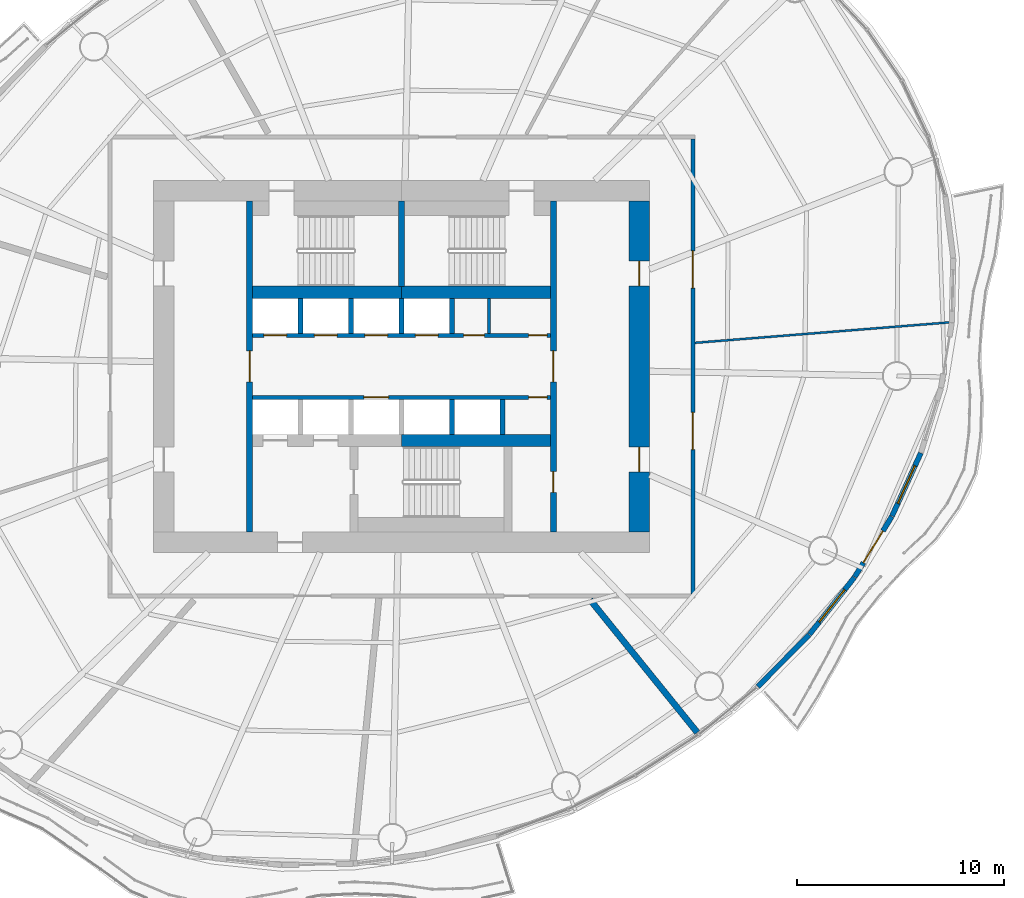
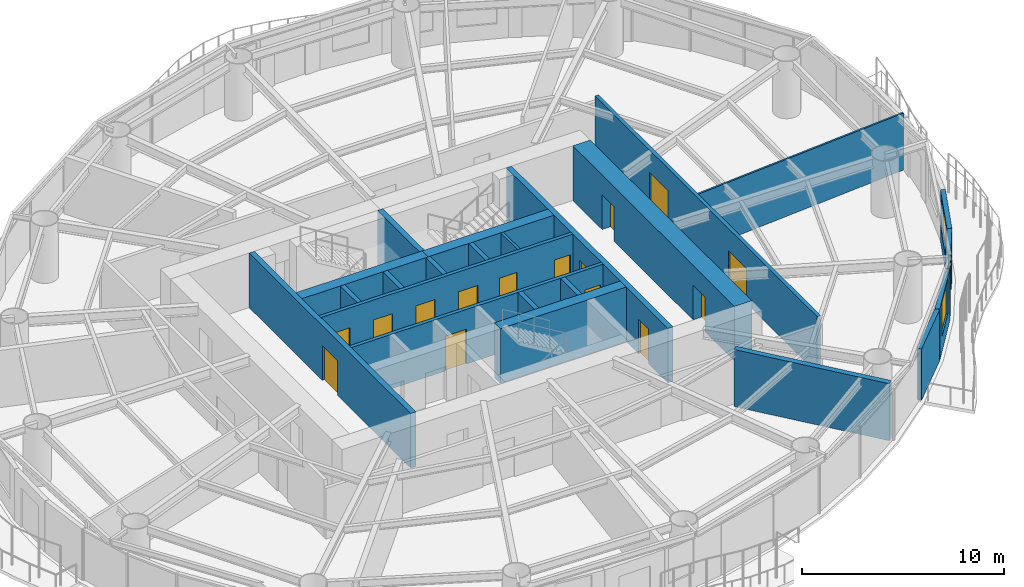
# One storey, part 9 of 15: 23 walls, 16 doors, 2 windows, 18 openings.
"""IFC4 building model written with IfcOpenShell, lengths in metres."""

from ifc_helpers import new_model, si_unit, direction, frame, frame_2d, origin, place, context, subcontext, project, spatial, rectangle, extrude, material, layer, layer_set, type_object, element, fill, save


model = new_model("IFC4")

# Units and contexts
model_context = context("Model", 3, precision=1e-05, world=origin(), true_north=direction((0.0, 1.0)))
body_context = subcontext(model_context, "Body", "Model", "MODEL_VIEW")
ifc_project = project(units=[si_unit("LENGTHUNIT", "METRE"), si_unit("AREAUNIT", "SQUARE_METRE"), si_unit("VOLUMEUNIT", "CUBIC_METRE"), si_unit("PLANEANGLEUNIT", "RADIAN"), si_unit("MASSUNIT", "GRAM", prefix="KILO")], contexts=[model_context])

# Site, building, storey
site_placement = place(None, origin())
site = spatial("IfcSite", under=ifc_project, at=site_placement, CompositionType="ELEMENT")
building_placement = place(site_placement, origin())
building = spatial("IfcBuilding", under=site, at=building_placement, Name="Vermilion Reach Broadcast Tower", CompositionType="ELEMENT")
storey_placement = place(building_placement, frame((0.0, 0.0, 154.199951171875)))
storey = spatial("IfcBuildingStorey", under=building, at=storey_placement, Name="L36", CompositionType="ELEMENT", Elevation=154.199951171875)

# Wall, opening, door
ifc_material_1 = material(Name="Concrete C70", Category="concrete")
ifc_layer_1 = layer(ifc_material_1, 0.300048828125)
ifc_layer_set_1 = layer_set([ifc_layer_1], Name="Core inner wall 300 mm Concrete C70")
wall_type_1 = type_object("IfcWallType", Name="Core inner wall 300 mm Concrete C70", PredefinedType="SHEAR", material=ifc_layer_set_1)
wall_1_placement = place(storey_placement, frame((-13.35009765625, 8.0, 0.0), z_axis=(0.0, 0.0, 1.0), x_axis=(0.0, -1.0, 0.0)))
wall_1 = element("IfcWall", 1, at=wall_1_placement, inside=storey, type_object=wall_type_1, Name="L36 core wall ewW", PredefinedType="SHEAR", context=body_context, shape_type="SweptSolid", body=[
    extrude(rectangle(XDim=16.0, YDim=0.300048828125, at=frame_2d((8.0, 0.0))), origin(), (0.0, 0.0, 1.0), 3.300048828125),
])
opening_1_placement = place(wall_1_placement, frame((7.25, 0.0, 0.0)))
opening_1 = element("IfcOpeningElement", 2, at=opening_1_placement, cuts=wall_1, Name="Opening D04", PredefinedType="OPENING", context=body_context, shape_type="SweptSolid", body=[
    extrude(rectangle(XDim=1.5, YDim=2.10009765625, at=frame_2d((0.75, 1.050048828125))), frame((0.0, 0.159912109375, 0.0), z_axis=(0.0, -1.0, 0.0), x_axis=(1.0, 0.0, 0.0)), (0.0, 0.0, 1.0), 0.320068359375),
])
ifc_material_2 = material(Name="Painted steel fire door", Category="steel")
door_type_1 = type_object("IfcDoorType", Name="Lift lobby door 1500 x 2100", OperationType="DOUBLE_DOOR_SINGLE_SWING", PredefinedType="NOTDEFINED", material=ifc_material_2)
door_1_placement = place(opening_1_placement, origin())
door_1 = element("IfcDoor", 3, at=door_1_placement, inside=storey, type_object=door_type_1, Name="L36 band door BW", OperationType="DOUBLE_DOOR_SINGLE_SWING", OverallHeight=2.10009765625, OverallWidth=1.5, PredefinedType="NOTDEFINED", context=body_context, shape_type="SweptSolid", body=[
    extrude(rectangle(XDim=1.5, YDim=2.10009765625, at=frame_2d((0.75, 1.050048828125))), frame((0.0, 0.02490234375, 0.0), z_axis=(0.0, -1.0, 0.0), x_axis=(1.0, 0.0, 0.0)), (0.0, 0.0, 1.0), 0.050048828125),
])
fill(opening_1, door_1)

# Wall, openings, doors
wall_2_placement = place(storey_placement, frame((1.35009765625, -8.0, 0.0), z_axis=(0.0, 0.0, 1.0), x_axis=(0.0, 1.0, 0.0)))
wall_2 = element("IfcWall", 4, at=wall_2_placement, inside=storey, type_object=wall_type_1, Name="L36 core wall ewE", PredefinedType="SHEAR", context=body_context, shape_type="SweptSolid", body=[
    extrude(rectangle(XDim=16.0, YDim=0.300048828125, at=frame_2d((8.0, 0.0))), origin(), (0.0, 0.0, 1.0), 3.300048828125),
])
opening_2_placement = place(wall_2_placement, frame((1.909912109375, 0.0, 0.0)))
opening_2 = element("IfcOpeningElement", 5, at=opening_2_placement, cuts=wall_2, Name="Opening D05", PredefinedType="OPENING", context=body_context, shape_type="SweptSolid", body=[
    extrude(rectangle(XDim=1.0, YDim=2.10009765625, at=frame_2d((0.5, 1.050048828125))), frame((0.0, 0.159912109375, 0.0), z_axis=(0.0, -1.0, 0.0), x_axis=(1.0, 0.0, 0.0)), (0.0, 0.0, 1.0), 0.320068359375),
])
opening_3_placement = place(wall_2_placement, frame((7.25, 0.0, 0.0)))
opening_3 = element("IfcOpeningElement", 6, at=opening_3_placement, cuts=wall_2, Name="Opening D04", PredefinedType="OPENING", context=body_context, shape_type="SweptSolid", body=[
    extrude(rectangle(XDim=1.5, YDim=2.10009765625, at=frame_2d((0.75, 1.050048828125))), frame((0.0, 0.159912109375, 0.0), z_axis=(0.0, -1.0, 0.0), x_axis=(1.0, 0.0, 0.0)), (0.0, 0.0, 1.0), 0.320068359375),
])
door_2_placement = place(opening_3_placement, origin())
door_2 = element("IfcDoor", 7, at=door_2_placement, inside=storey, type_object=door_type_1, Name="L36 band door BE", OperationType="DOUBLE_DOOR_SINGLE_SWING", OverallHeight=2.10009765625, OverallWidth=1.5, PredefinedType="NOTDEFINED", context=body_context, shape_type="SweptSolid", body=[
    extrude(rectangle(XDim=1.5, YDim=2.10009765625, at=frame_2d((0.75, 1.050048828125))), frame((0.0, 0.02490234375, 0.0), z_axis=(0.0, -1.0, 0.0), x_axis=(1.0, 0.0, 0.0)), (0.0, 0.0, 1.0), 0.050048828125),
])
fill(opening_3, door_2)
ifc_material_3 = material(Name="Timber door", Category="wood")
door_type_2 = type_object("IfcDoorType", Name="Room door 1000 x 2100", OperationType="NOTDEFINED", PredefinedType="NOTDEFINED", material=ifc_material_3)
door_3_placement = place(opening_2_placement, origin())
door_3 = element("IfcDoor", 8, at=door_3_placement, inside=storey, type_object=door_type_2, Name="L36 door SER", OperationType="SINGLE_SWING_LEFT", OverallHeight=2.10009765625, OverallWidth=1.0, PredefinedType="NOTDEFINED", context=body_context, shape_type="SweptSolid", body=[
    extrude(rectangle(XDim=1.0, YDim=2.10009765625, at=frame_2d((0.5, 1.050048828125))), frame((0.0, 0.02490234375, 0.0), z_axis=(0.0, -1.0, 0.0), x_axis=(1.0, 0.0, 0.0)), (0.0, 0.0, 1.0), 0.050048828125),
])
fill(opening_2, door_3)

# Walls
wall_3_placement = place(storey_placement, frame((-6.0, 3.8798828125, 0.0), z_axis=(0.0, 0.0, 1.0), x_axis=(0.0, 1.0, 0.0)))
element("IfcWall", 9, at=wall_3_placement, inside=storey, type_object=wall_type_1, Name="L36 core wall wc", PredefinedType="SHEAR", context=body_context, shape_type="SweptSolid", body=[
    extrude(rectangle(XDim=4.1201171875, YDim=0.300048828125, at=frame_2d((2.06005859375, 0.0))), origin(), (0.0, 0.0, 1.0), 3.300048828125),
])
ifc_material_4 = material(Name="Concrete C70", Category="concrete")
ifc_layer_2 = layer(ifc_material_4, 0.60009765625)
ifc_layer_set_2 = layer_set([ifc_layer_2], Name="Core inner wall 600 mm Concrete C70")
wall_type_2 = type_object("IfcWallType", Name="Core inner wall 600 mm Concrete C70", PredefinedType="SHEAR", material=ifc_layer_set_2)
for number, where, z_axis, x_axis, name in (
    (10, (-13.199951171875, 3.580078125, 0.0), (0.0, 0.0, 1.0), (1.0, 0.0, 0.0), "L36 core wall winW"),
    (11, (-6.0, 3.580078125, 0.0), (0.0, 0.0, 1.0), (1.0, 0.0, 0.0), "L36 core wall winE"),
    (12, (-6.0, -3.580078125, 0.0), (0.0, 0.0, 1.0), (1.0, 0.0, 0.0), "L36 core wall wisE"),
):
    element("IfcWall", number, at=place(storey_placement, frame(where, z_axis=z_axis, x_axis=x_axis)), inside=storey, type_object=wall_type_2, Name=name, PredefinedType="SHEAR", context=body_context, shape_type="SweptSolid", body=[
        extrude(rectangle(XDim=7.199951171875, YDim=0.60009765625, at=frame_2d((3.60009765625, 0.0))), origin(), (0.0, 0.0, 1.0), 3.300048828125),
    ])

# Wall, openings, doors
ifc_material_5 = material(Name="Concrete C70", Category="concrete")
ifc_layer_3 = layer(ifc_material_5, 1.0)
ifc_layer_set_3 = layer_set([ifc_layer_3], Name="Core outer wall 1000 mm Concrete C70")
wall_type_3 = type_object("IfcWallType", Name="Core outer wall 1000 mm Concrete C70", PredefinedType="SHEAR", material=ifc_layer_set_3)
wall_4_placement = place(storey_placement, frame((5.5, -8.0, 0.0), z_axis=(0.0, 0.0, 1.0), x_axis=(0.0, 1.0, 0.0)))
wall_4 = element("IfcWall", 13, at=wall_4_placement, inside=storey, type_object=wall_type_3, Name="L36 core wall oe", PredefinedType="SHEAR", context=body_context, shape_type="SweptSolid", body=[
    extrude(rectangle(XDim=16.0, YDim=1.0, at=frame_2d((8.0, 0.0))), origin(), (0.0, 0.0, 1.0), 3.300048828125),
])
opening_4_placement = place(wall_4_placement, frame((2.89990234375, 0.0, 0.0)))
opening_4 = element("IfcOpeningElement", 14, at=opening_4_placement, cuts=wall_4, Name="Opening D03", PredefinedType="OPENING", context=body_context, shape_type="SweptSolid", body=[
    extrude(rectangle(XDim=1.199951171875, YDim=2.10009765625, at=frame_2d((0.60009765625, 1.050048828125))), frame((0.0, 0.510009765625, 0.0), z_axis=(0.0, -1.0, 0.0), x_axis=(1.0, 0.0, 0.0)), (0.0, 0.0, 1.0), 1.02001953125),
])
opening_5_placement = place(wall_4_placement, frame((11.89990234375, 0.0, 0.0)))
opening_5 = element("IfcOpeningElement", 15, at=opening_5_placement, cuts=wall_4, Name="Opening D03", PredefinedType="OPENING", context=body_context, shape_type="SweptSolid", body=[
    extrude(rectangle(XDim=1.199951171875, YDim=2.10009765625, at=frame_2d((0.60009765625, 1.050048828125))), frame((0.0, 0.510009765625, 0.0), z_axis=(0.0, -1.0, 0.0), x_axis=(1.0, 0.0, 0.0)), (0.0, 0.0, 1.0), 1.02001953125),
])
ifc_material_6 = material(Name="Painted steel fire door", Category="steel")
door_type_3 = type_object("IfcDoorType", Name="Core lobby door 1200 x 2100", OperationType="DOUBLE_DOOR_SINGLE_SWING", PredefinedType="NOTDEFINED", material=ifc_material_6)
door_4_placement = place(opening_4_placement, origin())
door_4 = element("IfcDoor", 16, at=door_4_placement, inside=storey, type_object=door_type_3, Name="L36 slot door E0", OperationType="DOUBLE_DOOR_SINGLE_SWING", OverallHeight=2.10009765625, OverallWidth=1.199951171875, PredefinedType="NOTDEFINED", context=body_context, shape_type="SweptSolid", body=[
    extrude(rectangle(XDim=1.199951171875, YDim=2.10009765625, at=frame_2d((0.60009765625, 1.050048828125))), frame((0.0, 0.02490234375, 0.0), z_axis=(0.0, -1.0, 0.0), x_axis=(1.0, 0.0, 0.0)), (0.0, 0.0, 1.0), 0.050048828125),
])
fill(opening_4, door_4)
door_5_placement = place(opening_5_placement, origin())
door_5 = element("IfcDoor", 17, at=door_5_placement, inside=storey, type_object=door_type_3, Name="L36 slot door E1", OperationType="DOUBLE_DOOR_SINGLE_SWING", OverallHeight=2.10009765625, OverallWidth=1.199951171875, PredefinedType="NOTDEFINED", context=body_context, shape_type="SweptSolid", body=[
    extrude(rectangle(XDim=1.199951171875, YDim=2.10009765625, at=frame_2d((0.60009765625, 1.050048828125))), frame((0.0, 0.02490234375, 0.0), z_axis=(0.0, -1.0, 0.0), x_axis=(1.0, 0.0, 0.0)), (0.0, 0.0, 1.0), 0.050048828125),
])
fill(opening_5, door_5)

# Wall
ifc_material_7 = material(Name="Masonry block", Category="masonry")
ifc_layer_4 = layer(ifc_material_7, 0.14990234375)
ifc_layer_set_4 = layer_set([ifc_layer_4], Name="Core partition wall 150 mm Masonry block")
wall_type_4 = type_object("IfcWallType", Name="Core partition wall 150 mm Masonry block", PredefinedType="PARTITIONING", material=ifc_layer_set_4)
wall_5_placement = place(storey_placement, frame((-1.765380859375, 1.60009765625, 0.0), z_axis=(0.0, 0.0, 1.0), x_axis=(0.0, 1.0, 0.0)))
element("IfcWall", 18, at=wall_5_placement, inside=storey, type_object=wall_type_4, Name="L36 core wall prN4235", PredefinedType="PARTITIONING", context=body_context, shape_type="SweptSolid", body=[
    extrude(rectangle(XDim=1.679931640625, YDim=0.14990234375, at=frame_2d((0.83984375, 0.0))), origin(), (0.0, 0.0, 1.0), 3.300048828125),
])

# Wall, openings, doors
ifc_material_8 = material(Name="Concrete C50", Category="concrete")
ifc_layer_5 = layer(ifc_material_8, 0.199951171875)
ifc_layer_set_5 = layer_set([ifc_layer_5], Name="Core shaft wall 200 mm Concrete C50")
wall_type_5 = type_object("IfcWallType", Name="Core shaft wall 200 mm Concrete C50", PredefinedType="SHEAR", material=ifc_layer_set_5)
wall_6_placement = place(storey_placement, frame((-13.199951171875, 1.5, 0.0), z_axis=(0.0, 0.0, 1.0), x_axis=(1.0, 0.0, 0.0)))
wall_6 = element("IfcWall", 19, at=wall_6_placement, inside=storey, type_object=wall_type_5, Name="L36 core wall fn", PredefinedType="SHEAR", context=body_context, shape_type="SweptSolid", body=[
    extrude(rectangle(XDim=14.39990234375, YDim=0.199951171875, at=frame_2d((7.199951171875, 0.0))), origin(), (0.0, 0.0, 1.0), 3.300048828125),
])
opening_6_placement = place(wall_6_placement, frame((0.5458984375, 0.0, 0.0)))
opening_6 = element("IfcOpeningElement", 20, at=opening_6_placement, cuts=wall_6, Name="Opening LD2", PredefinedType="OPENING", context=body_context, shape_type="SweptSolid", body=[
    extrude(rectangle(XDim=1.10009765625, YDim=2.10009765625, at=frame_2d((0.550048828125, 1.050048828125))), frame((0.0, 0.10986328125, 0.0), z_axis=(0.0, -1.0, 0.0), x_axis=(1.0, 0.0, 0.0)), (0.0, 0.0, 1.0), 0.219970703125),
])
opening_7_placement = place(wall_6_placement, frame((2.987548828125, 0.0, 0.0)))
opening_7 = element("IfcOpeningElement", 21, at=opening_7_placement, cuts=wall_6, Name="Opening LD2", PredefinedType="OPENING", context=body_context, shape_type="SweptSolid", body=[
    extrude(rectangle(XDim=1.10009765625, YDim=2.10009765625, at=frame_2d((0.550048828125, 1.050048828125))), frame((0.0, 0.10986328125, 0.0), z_axis=(0.0, -1.0, 0.0), x_axis=(1.0, 0.0, 0.0)), (0.0, 0.0, 1.0), 0.219970703125),
])
opening_8_placement = place(wall_6_placement, frame((5.42919921875, 0.0, 0.0)))
opening_8 = element("IfcOpeningElement", 22, at=opening_8_placement, cuts=wall_6, Name="Opening LD2", PredefinedType="OPENING", context=body_context, shape_type="SweptSolid", body=[
    extrude(rectangle(XDim=1.10009765625, YDim=2.10009765625, at=frame_2d((0.550048828125, 1.050048828125))), frame((0.0, 0.10986328125, 0.0), z_axis=(0.0, -1.0, 0.0), x_axis=(1.0, 0.0, 0.0)), (0.0, 0.0, 1.0), 0.219970703125),
])
opening_9_placement = place(wall_6_placement, frame((7.870849609375, 0.0, 0.0)))
opening_9 = element("IfcOpeningElement", 23, at=opening_9_placement, cuts=wall_6, Name="Opening LD2", PredefinedType="OPENING", context=body_context, shape_type="SweptSolid", body=[
    extrude(rectangle(XDim=1.10009765625, YDim=2.10009765625, at=frame_2d((0.550048828125, 1.050048828125))), frame((0.0, 0.10986328125, 0.0), z_axis=(0.0, -1.0, 0.0), x_axis=(1.0, 0.0, 0.0)), (0.0, 0.0, 1.0), 0.219970703125),
])
opening_10_placement = place(wall_6_placement, frame((10.209716796875, 0.0, 0.0)))
opening_10 = element("IfcOpeningElement", 24, at=opening_10_placement, cuts=wall_6, Name="Opening D07", PredefinedType="OPENING", context=body_context, shape_type="SweptSolid", body=[
    extrude(rectangle(XDim=1.0, YDim=2.10009765625, at=frame_2d((0.5, 1.050048828125))), frame((0.0, 0.10986328125, 0.0), z_axis=(0.0, -1.0, 0.0), x_axis=(1.0, 0.0, 0.0)), (0.0, 0.0, 1.0), 0.219970703125),
])
opening_11_placement = place(wall_6_placement, frame((13.35009765625, 0.0, 0.0)))
opening_11 = element("IfcOpeningElement", 25, at=opening_11_placement, cuts=wall_6, Name="Opening D06", PredefinedType="OPENING", context=body_context, shape_type="SweptSolid", body=[
    extrude(rectangle(XDim=0.89990234375, YDim=2.10009765625, at=frame_2d((0.449951171875, 1.050048828125))), frame((0.0, 0.10986328125, 0.0), z_axis=(0.0, -1.0, 0.0), x_axis=(1.0, 0.0, 0.0)), (0.0, 0.0, 1.0), 0.219970703125),
])
ifc_material_9 = material(Name="Timber door", Category="wood")
door_type_4 = type_object("IfcDoorType", Name="Accessible WC door 1000 x 2100", OperationType="NOTDEFINED", PredefinedType="NOTDEFINED", material=ifc_material_9)
door_6_placement = place(opening_10_placement, origin())
door_6 = element("IfcDoor", 26, at=door_6_placement, inside=storey, type_object=door_type_4, Name="L36 door Accessible WC", OperationType="SINGLE_SWING_RIGHT", OverallHeight=2.10009765625, OverallWidth=1.0, PredefinedType="NOTDEFINED", context=body_context, shape_type="SweptSolid", body=[
    extrude(rectangle(XDim=1.0, YDim=2.10009765625, at=frame_2d((0.5, 1.050048828125))), frame((0.0, 0.02490234375, 0.0), z_axis=(0.0, -1.0, 0.0), x_axis=(1.0, 0.0, 0.0)), (0.0, 0.0, 1.0), 0.050048828125),
])
fill(opening_10, door_6)
ifc_material_10 = material(Name="Stainless steel", Category="steel")
door_type_5 = type_object("IfcDoorType", Name="Landing door 1100 x 2100", OperationType="DOUBLE_DOOR_SLIDING", PredefinedType="NOTDEFINED", material=ifc_material_10)
door_7_placement = place(opening_6_placement, origin())
door_7 = element("IfcDoor", 27, at=door_7_placement, inside=storey, type_object=door_type_5, Name="L36 landing door LR1", OperationType="DOUBLE_DOOR_SLIDING", OverallHeight=2.10009765625, OverallWidth=1.10009765625, PredefinedType="NOTDEFINED", context=body_context, shape_type="SweptSolid", body=[
    extrude(rectangle(XDim=1.10009765625, YDim=2.10009765625, at=frame_2d((0.550048828125, 1.050048828125))), frame((0.0, 0.02490234375, 0.0), z_axis=(0.0, -1.0, 0.0), x_axis=(1.0, 0.0, 0.0)), (0.0, 0.0, 1.0), 0.050048828125),
])
fill(opening_6, door_7)
door_8_placement = place(opening_7_placement, origin())
door_8 = element("IfcDoor", 28, at=door_8_placement, inside=storey, type_object=door_type_5, Name="L36 landing door LR2", OperationType="DOUBLE_DOOR_SLIDING", OverallHeight=2.10009765625, OverallWidth=1.10009765625, PredefinedType="NOTDEFINED", context=body_context, shape_type="SweptSolid", body=[
    extrude(rectangle(XDim=1.10009765625, YDim=2.10009765625, at=frame_2d((0.550048828125, 1.050048828125))), frame((0.0, 0.02490234375, 0.0), z_axis=(0.0, -1.0, 0.0), x_axis=(1.0, 0.0, 0.0)), (0.0, 0.0, 1.0), 0.050048828125),
])
fill(opening_7, door_8)
door_9_placement = place(opening_8_placement, origin())
door_9 = element("IfcDoor", 29, at=door_9_placement, inside=storey, type_object=door_type_5, Name="L36 landing door LR3", OperationType="DOUBLE_DOOR_SLIDING", OverallHeight=2.10009765625, OverallWidth=1.10009765625, PredefinedType="NOTDEFINED", context=body_context, shape_type="SweptSolid", body=[
    extrude(rectangle(XDim=1.10009765625, YDim=2.10009765625, at=frame_2d((0.550048828125, 1.050048828125))), frame((0.0, 0.02490234375, 0.0), z_axis=(0.0, -1.0, 0.0), x_axis=(1.0, 0.0, 0.0)), (0.0, 0.0, 1.0), 0.050048828125),
])
fill(opening_8, door_9)
door_10_placement = place(opening_9_placement, origin())
door_10 = element("IfcDoor", 30, at=door_10_placement, inside=storey, type_object=door_type_5, Name="L36 landing door LR4", OperationType="DOUBLE_DOOR_SLIDING", OverallHeight=2.10009765625, OverallWidth=1.10009765625, PredefinedType="NOTDEFINED", context=body_context, shape_type="SweptSolid", body=[
    extrude(rectangle(XDim=1.10009765625, YDim=2.10009765625, at=frame_2d((0.550048828125, 1.050048828125))), frame((0.0, 0.02490234375, 0.0), z_axis=(0.0, -1.0, 0.0), x_axis=(1.0, 0.0, 0.0)), (0.0, 0.0, 1.0), 0.050048828125),
])
fill(opening_9, door_10)
ifc_material_11 = material(Name="Timber door", Category="wood")
door_type_6 = type_object("IfcDoorType", Name="WC door 900 x 2100", OperationType="NOTDEFINED", PredefinedType="NOTDEFINED", material=ifc_material_11)
door_11_placement = place(opening_11_placement, origin())
door_11 = element("IfcDoor", 31, at=door_11_placement, inside=storey, type_object=door_type_6, Name="L36 door Female WC", OperationType="SINGLE_SWING_RIGHT", OverallHeight=2.10009765625, OverallWidth=0.89990234375, PredefinedType="NOTDEFINED", context=body_context, shape_type="SweptSolid", body=[
    extrude(rectangle(XDim=0.89990234375, YDim=2.10009765625, at=frame_2d((0.449951171875, 1.050048828125))), frame((0.0, 0.02490234375, 0.0), z_axis=(0.0, -1.0, 0.0), x_axis=(1.0, 0.0, 0.0)), (0.0, 0.0, 1.0), 0.050048828125),
])
fill(opening_11, door_11)

wall_7_placement = place(storey_placement, frame((1.199951171875, -1.5, 0.0), z_axis=(0.0, 0.0, 1.0), x_axis=(-1.0, 0.0, 0.0)))
wall_7 = element("IfcWall", 32, at=wall_7_placement, inside=storey, type_object=wall_type_5, Name="L36 core wall fs", PredefinedType="SHEAR", context=body_context, shape_type="SweptSolid", body=[
    extrude(rectangle(XDim=14.39990234375, YDim=0.199951171875, at=frame_2d((7.199951171875, 0.0))), origin(), (0.0, 0.0, 1.0), 3.300048828125),
])
opening_12_placement = place(wall_7_placement, frame((7.82080078125, 0.0, 0.0)))
opening_12 = element("IfcOpeningElement", 33, at=opening_12_placement, cuts=wall_7, Name="Opening LD1", PredefinedType="OPENING", context=body_context, shape_type="SweptSolid", body=[
    extrude(rectangle(XDim=1.199951171875, YDim=2.10009765625, at=frame_2d((0.60009765625, 1.050048828125))), frame((0.0, 0.10986328125, 0.0), z_axis=(0.0, -1.0, 0.0), x_axis=(1.0, 0.0, 0.0)), (0.0, 0.0, 1.0), 0.219970703125),
])
opening_13_placement = place(wall_7_placement, frame((0.14990234375, 0.0, 0.0)))
opening_13 = element("IfcOpeningElement", 34, at=opening_13_placement, cuts=wall_7, Name="Opening D06", PredefinedType="OPENING", context=body_context, shape_type="SweptSolid", body=[
    extrude(rectangle(XDim=0.89990234375, YDim=2.10009765625, at=frame_2d((0.449951171875, 1.050048828125))), frame((0.0, 0.10986328125, 0.0), z_axis=(0.0, -1.0, 0.0), x_axis=(1.0, 0.0, 0.0)), (0.0, 0.0, 1.0), 0.219970703125),
])
ifc_material_12 = material(Name="Stainless steel", Category="steel")
door_type_7 = type_object("IfcDoorType", Name="Landing door 1200 x 2100", OperationType="DOUBLE_DOOR_SLIDING", PredefinedType="NOTDEFINED", material=ifc_material_12)
door_12_placement = place(opening_12_placement, origin())
door_12 = element("IfcDoor", 35, at=door_12_placement, inside=storey, type_object=door_type_7, Name="L36 landing door SV1", OperationType="DOUBLE_DOOR_SLIDING", OverallHeight=2.10009765625, OverallWidth=1.199951171875, PredefinedType="NOTDEFINED", context=body_context, shape_type="SweptSolid", body=[
    extrude(rectangle(XDim=1.199951171875, YDim=2.10009765625, at=frame_2d((0.60009765625, 1.050048828125))), frame((0.0, 0.02490234375, 0.0), z_axis=(0.0, -1.0, 0.0), x_axis=(1.0, 0.0, 0.0)), (0.0, 0.0, 1.0), 0.050048828125),
])
fill(opening_12, door_12)
door_13_placement = place(opening_13_placement, origin())
door_13 = element("IfcDoor", 36, at=door_13_placement, inside=storey, type_object=door_type_6, Name="L36 door Male WC", OperationType="SINGLE_SWING_LEFT", OverallHeight=2.10009765625, OverallWidth=0.89990234375, PredefinedType="NOTDEFINED", context=body_context, shape_type="SweptSolid", body=[
    extrude(rectangle(XDim=0.89990234375, YDim=2.10009765625, at=frame_2d((0.449951171875, 1.050048828125))), frame((0.0, 0.02490234375, 0.0), z_axis=(0.0, -1.0, 0.0), x_axis=(1.0, 0.0, 0.0)), (0.0, 0.0, 1.0), 0.050048828125),
])
fill(opening_13, door_13)

# Walls
ifc_material_13 = material(Name="Concrete C50", Category="concrete")
ifc_layer_6 = layer(ifc_material_13, 0.25)
ifc_layer_set_6 = layer_set([ifc_layer_6], Name="Core shaft wall 250 mm Concrete C50")
wall_type_6 = type_object("IfcWallType", Name="Core shaft wall 250 mm Concrete C50", PredefinedType="SHEAR", material=ifc_layer_set_6)
for number, where, z_axis, x_axis, name in (
    (37, (-10.88330078125, 1.60009765625, 0.0), (0.0, 0.0, 1.0), (0.0, 1.0, 0.0), "L36 core wall psN0"),
    (38, (-8.441650390625, 1.60009765625, 0.0), (0.0, 0.0, 1.0), (0.0, 1.0, 0.0), "L36 core wall psN1"),
    (39, (-6.0, 1.60009765625, 0.0), (0.0, 0.0, 1.0), (0.0, 1.0, 0.0), "L36 core wall psN2"),
    (40, (-3.558349609375, 1.60009765625, 0.0), (0.0, 0.0, 1.0), (0.0, 1.0, 0.0), "L36 core wall psN3"),
    (41, (-3.558349609375, -1.60009765625, 0.0), (0.0, 0.0, 1.0), (0.0, -1.0, 0.0), "L36 core wall psS3"),
    (42, (-1.11669921875, -1.60009765625, 0.0), (0.0, 0.0, 1.0), (0.0, -1.0, 0.0), "L36 core wall psS4"),
):
    element("IfcWall", number, at=place(storey_placement, frame(where, z_axis=z_axis, x_axis=x_axis)), inside=storey, type_object=wall_type_6, Name=name, PredefinedType="SHEAR", context=body_context, shape_type="SweptSolid", body=[
        extrude(rectangle(XDim=1.679931640625, YDim=0.25, at=frame_2d((0.83984375, 0.0))), origin(), (0.0, 0.0, 1.0), 3.300048828125),
    ])

# Wall, openings, doors
ifc_material_14 = material(Name="Fire-rated gypsum board partition")
ifc_layer_7 = layer(ifc_material_14, 0.199951171875)
ifc_layer_set_7 = layer_set([ifc_layer_7], Name="Corridor wall 200 fire-rated")
wall_type_7 = type_object("IfcWallType", Name="Corridor wall 200 fire-rated", PredefinedType="PARTITIONING", material=ifc_layer_set_7)
wall_8_placement = place(storey_placement, frame((8.10009765625, 11.0, 0.0), z_axis=(0.0, 0.0, 1.0), x_axis=(0.0, -1.0, 0.0)))
wall_8 = element("IfcWall", 43, at=wall_8_placement, inside=storey, type_object=wall_type_7, Name="Corridor wall 36.E", PredefinedType="PARTITIONING", context=body_context, shape_type="SweptSolid", body=[
    extrude(rectangle(XDim=22.0, YDim=0.199951171875, at=frame_2d((11.0, 0.0))), origin(), (0.0, 0.0, 1.0), 3.449951171875),
])
opening_14_placement = place(wall_8_placement, frame((13.220703125, 0.0, 0.0)))
opening_14 = element("IfcOpeningElement", 44, at=opening_14_placement, cuts=wall_8, Name="Opening D21", PredefinedType="OPENING", context=body_context, shape_type="SweptSolid", body=[
    extrude(rectangle(XDim=1.800048828125, YDim=2.10009765625, at=frame_2d((0.89990234375, 1.050048828125))), frame((0.0, 0.10986328125, 0.0), z_axis=(0.0, -1.0, 0.0), x_axis=(1.0, 0.0, 0.0)), (0.0, 0.0, 1.0), 0.219970703125),
])
opening_15_placement = place(wall_8_placement, frame((5.41064453125, 0.0, 0.0)))
opening_15 = element("IfcOpeningElement", 45, at=opening_15_placement, cuts=wall_8, Name="Opening D21", PredefinedType="OPENING", context=body_context, shape_type="SweptSolid", body=[
    extrude(rectangle(XDim=1.800048828125, YDim=2.10009765625, at=frame_2d((0.89990234375, 1.050048828125))), frame((0.0, 0.10986328125, 0.0), z_axis=(0.0, -1.0, 0.0), x_axis=(1.0, 0.0, 0.0)), (0.0, 0.0, 1.0), 0.219970703125),
])
ifc_material_15 = material(Name="Timber door leaf", Category="wood")
door_type_8 = type_object("IfcDoorType", Name="Door pair 1800x2100", OperationType="NOTDEFINED", PredefinedType="DOOR", material=ifc_material_15)
door_14_placement = place(opening_14_placement, origin())
door_14 = element("IfcDoor", 46, at=door_14_placement, inside=storey, type_object=door_type_8, Name="Door 36.08", OperationType="DOUBLE_DOOR_SINGLE_SWING", OverallHeight=2.10009765625, OverallWidth=1.800048828125, PredefinedType="DOOR", context=body_context, shape_type="SweptSolid", body=[
    extrude(rectangle(XDim=1.800048828125, YDim=2.10009765625, at=frame_2d((0.89990234375, 1.050048828125))), frame((0.0, 0.02490234375, 0.0), z_axis=(0.0, -1.0, 0.0), x_axis=(1.0, 0.0, 0.0)), (0.0, 0.0, 1.0), 0.050048828125),
])
fill(opening_14, door_14)
door_15_placement = place(opening_15_placement, origin())
door_15 = element("IfcDoor", 47, at=door_15_placement, inside=storey, type_object=door_type_8, Name="Door 36.09", OperationType="DOUBLE_DOOR_SINGLE_SWING", OverallHeight=2.10009765625, OverallWidth=1.800048828125, PredefinedType="DOOR", context=body_context, shape_type="SweptSolid", body=[
    extrude(rectangle(XDim=1.800048828125, YDim=2.10009765625, at=frame_2d((0.89990234375, 1.050048828125))), frame((0.0, 0.02490234375, 0.0), z_axis=(0.0, -1.0, 0.0), x_axis=(1.0, 0.0, 0.0)), (0.0, 0.0, 1.0), 0.050048828125),
])
fill(opening_15, door_15)

# Walls
ifc_material_16 = material(Name="Plasterboard on steel stud", Category="steel")
ifc_layer_8 = layer(ifc_material_16, 0.10009765625)
ifc_layer_set_8 = layer_set([ifc_layer_8], Name="Partition 100 steel stud")
wall_type_8 = type_object("IfcWallType", Name="Partition 100 steel stud", PredefinedType="PARTITIONING", material=ifc_layer_set_8)
wall_9_placement = place(storey_placement, frame((20.497802734375, 2.130859375, 0.0), z_axis=(0.0, 0.0, 1.0), x_axis=(-0.996782781299, -0.080150401777, 0.0)))
element("IfcWall", 48, at=wall_9_placement, inside=storey, type_object=wall_type_8, Name="Partition 36.09", PredefinedType="PARTITIONING", context=body_context, shape_type="SweptSolid", body=[
    extrude(rectangle(XDim=12.33349609375, YDim=0.10009765625, at=frame_2d((6.166748046875, 0.0))), origin(), (0.0, 0.0, 1.0), 3.449951171875),
])
ifc_material_17 = material(Name="Double-leaf plasterboard on isolated steel stud", Category="steel")
ifc_layer_9 = layer(ifc_material_17, 0.300048828125)
ifc_layer_set_9 = layer_set([ifc_layer_9], Name="Partition 300 acoustic double leaf")
wall_type_9 = type_object("IfcWallType", Name="Partition 300 acoustic double leaf", PredefinedType="PARTITIONING", material=ifc_layer_set_9)
wall_10_placement = place(storey_placement, frame((8.31005859375, -17.70751953125, 0.0), z_axis=(0.0, 0.0, 1.0), x_axis=(-0.628547282079, 0.777771376557, 0.0)))
element("IfcWall", 49, at=wall_10_placement, inside=storey, type_object=wall_type_9, Name="Partition 36.08", PredefinedType="PARTITIONING", context=body_context, shape_type="SweptSolid", body=[
    extrude(rectangle(XDim=8.245849609375, YDim=0.300048828125, at=frame_2d((4.123046875, 0.0))), origin(), (0.0, 0.0, 1.0), 3.449951171875),
])
ifc_material_18 = material(Name="Terracotta rainscreen cladding", Category="masonry")
ifc_layer_10 = layer(ifc_material_18, 0.25)
ifc_layer_set_10 = layer_set([ifc_layer_10], Name="Terracotta rainscreen wall 250")
wall_type_10 = type_object("IfcWallType", Name="Terracotta rainscreen wall 250", PredefinedType="SOLIDWALL", material=ifc_layer_set_10)
wall_11_placement = place(storey_placement, frame((11.2431640625, -15.48388671875, 0.0), z_axis=(0.0, 0.0, 1.0), x_axis=(0.703320991983, 0.710872409253, 0.0)))
element("IfcWall", 50, at=wall_11_placement, inside=storey, type_object=wall_type_10, Name="External wall L36 38", PredefinedType="SOLIDWALL", context=body_context, shape_type="SweptSolid", body=[
    extrude(rectangle(XDim=3.52392578125, YDim=0.25, at=frame_2d((1.761962890625, 0.0))), origin(), (0.0, 0.0, 1.0), 3.10009765625),
])

# Wall, opening, window
wall_12_placement = place(storey_placement, frame((13.736328125, -12.962158203125, 0.0), z_axis=(0.0, 0.0, 1.0), x_axis=(0.618917748118, 0.785455804654, 0.0)))
wall_12 = element("IfcWall", 51, at=wall_12_placement, inside=storey, type_object=wall_type_10, Name="External wall L36 39", PredefinedType="SOLIDWALL", context=body_context, shape_type="SweptSolid", body=[
    extrude(rectangle(XDim=3.509521484375, YDim=0.25, at=frame_2d((1.7548828125, 0.0))), origin(), (0.0, 0.0, 1.0), 3.10009765625),
])
opening_16_placement = place(wall_12_placement, frame((0.754638671875, 0.0, 0.89990234375)))
opening_16 = element("IfcOpeningElement", 52, at=opening_16_placement, cuts=wall_12, Name="Opening W03", PredefinedType="OPENING", context=body_context, shape_type="SweptSolid", body=[
    extrude(rectangle(XDim=2.0, YDim=2.10009765625, at=frame_2d((1.0, 1.050048828125))), frame((0.0, 0.135009765625, 0.0), z_axis=(0.0, -1.0, 0.0), x_axis=(1.0, 0.0, 0.0)), (0.0, 0.0, 1.0), 0.27001953125),
])
ifc_material_19 = material(Name="Low-e laminated clear glass in aluminium frame", Category="aluminium")
window_type = type_object("IfcWindowType", Name="Punched window 2000 x 2100 sill 900", PartitioningType="SINGLE_PANEL", PredefinedType="WINDOW", material=ifc_material_19)
window_1_placement = place(opening_16_placement, origin())
window_1 = element("IfcWindow", 53, at=window_1_placement, inside=storey, type_object=window_type, Name="Window L36 39", OverallHeight=2.10009765625, OverallWidth=2.0, PartitioningType="SINGLE_PANEL", PredefinedType="WINDOW", context=body_context, shape_type="SweptSolid", body=[
    extrude(rectangle(XDim=2.0, YDim=2.10009765625, at=frame_2d((1.0, 1.050048828125))), frame((0.0, 0.030029296875, 0.0), z_axis=(0.0, -1.0, 0.0), x_axis=(1.0, 0.0, 0.0)), (0.0, 0.0, 1.0), 0.06005859375),
])
fill(opening_16, window_1)

# Wall, opening, door
wall_13_placement = place(storey_placement, frame((15.92138671875, -10.18701171875, 0.0), z_axis=(0.0, 0.0, 1.0), x_axis=(0.52303850946, 0.852309050534, 0.0)))
wall_13 = element("IfcWall", 54, at=wall_13_placement, inside=storey, type_object=wall_type_10, Name="External wall L36 40", PredefinedType="SOLIDWALL", context=body_context, shape_type="SweptSolid", body=[
    extrude(rectangle(XDim=3.43603515625, YDim=0.25, at=frame_2d((1.718017578125, 0.0))), origin(), (0.0, 0.0, 1.0), 3.10009765625),
])
opening_17_placement = place(wall_13_placement, frame((0.818115234375, 0.0, 0.0)))
opening_17 = element("IfcOpeningElement", 55, at=opening_17_placement, cuts=wall_13, Name="Opening D70", PredefinedType="OPENING", context=body_context, shape_type="SweptSolid", body=[
    extrude(rectangle(XDim=1.800048828125, YDim=2.39990234375, at=frame_2d((0.89990234375, 1.199951171875))), frame((0.0, 0.135009765625, 0.0), z_axis=(0.0, -1.0, 0.0), x_axis=(1.0, 0.0, 0.0)), (0.0, 0.0, 1.0), 0.27001953125),
])
ifc_material_20 = material(Name="Low-e laminated clear glass in aluminium frame", Category="aluminium")
door_type_9 = type_object("IfcDoorType", Name="Balcony sliding door 1800 x 2400", OperationType="DOUBLE_DOOR_SLIDING", PredefinedType="DOOR", material=ifc_material_20)
door_16_placement = place(opening_17_placement, origin())
door_16 = element("IfcDoor", 56, at=door_16_placement, inside=storey, type_object=door_type_9, Name="Balcony door L36 run 10", OperationType="DOUBLE_DOOR_SLIDING", OverallHeight=2.39990234375, OverallWidth=1.800048828125, PredefinedType="DOOR", context=body_context, shape_type="SweptSolid", body=[
    extrude(rectangle(XDim=1.800048828125, YDim=2.39990234375, at=frame_2d((0.89990234375, 1.199951171875))), frame((0.0, 0.02490234375, 0.0), z_axis=(0.0, -1.0, 0.0), x_axis=(1.0, 0.0, 0.0)), (0.0, 0.0, 1.0), 0.050048828125),
])
fill(opening_17, door_16)

# Wall, opening, window
wall_14_placement = place(storey_placement, frame((17.7294921875, -7.238037109375, 0.0), z_axis=(0.0, 0.0, 1.0), x_axis=(0.415294970102, 0.909686807537, 0.0)))
wall_14 = element("IfcWall", 57, at=wall_14_placement, inside=storey, type_object=wall_type_10, Name="External wall L36 41", PredefinedType="SOLIDWALL", context=body_context, shape_type="SweptSolid", body=[
    extrude(rectangle(XDim=3.35205078125, YDim=0.25, at=frame_2d((1.676025390625, 0.0))), origin(), (0.0, 0.0, 1.0), 3.10009765625),
])
opening_18_placement = place(wall_14_placement, frame((0.676025390625, 0.0, 0.89990234375)))
opening_18 = element("IfcOpeningElement", 58, at=opening_18_placement, cuts=wall_14, Name="Opening W03", PredefinedType="OPENING", context=body_context, shape_type="SweptSolid", body=[
    extrude(rectangle(XDim=2.0, YDim=2.10009765625, at=frame_2d((1.0, 1.050048828125))), frame((0.0, 0.135009765625, 0.0), z_axis=(0.0, -1.0, 0.0), x_axis=(1.0, 0.0, 0.0)), (0.0, 0.0, 1.0), 0.27001953125),
])
window_2_placement = place(opening_18_placement, origin())
window_2 = element("IfcWindow", 59, at=window_2_placement, inside=storey, type_object=window_type, Name="Window L36 41", OverallHeight=2.10009765625, OverallWidth=2.0, PartitioningType="SINGLE_PANEL", PredefinedType="WINDOW", context=body_context, shape_type="SweptSolid", body=[
    extrude(rectangle(XDim=2.0, YDim=2.10009765625, at=frame_2d((1.0, 1.050048828125))), frame((0.0, 0.030029296875, 0.0), z_axis=(0.0, -1.0, 0.0), x_axis=(1.0, 0.0, 0.0)), (0.0, 0.0, 1.0), 0.06005859375),
])
fill(opening_18, window_2)

save(model, "model.ifc")
